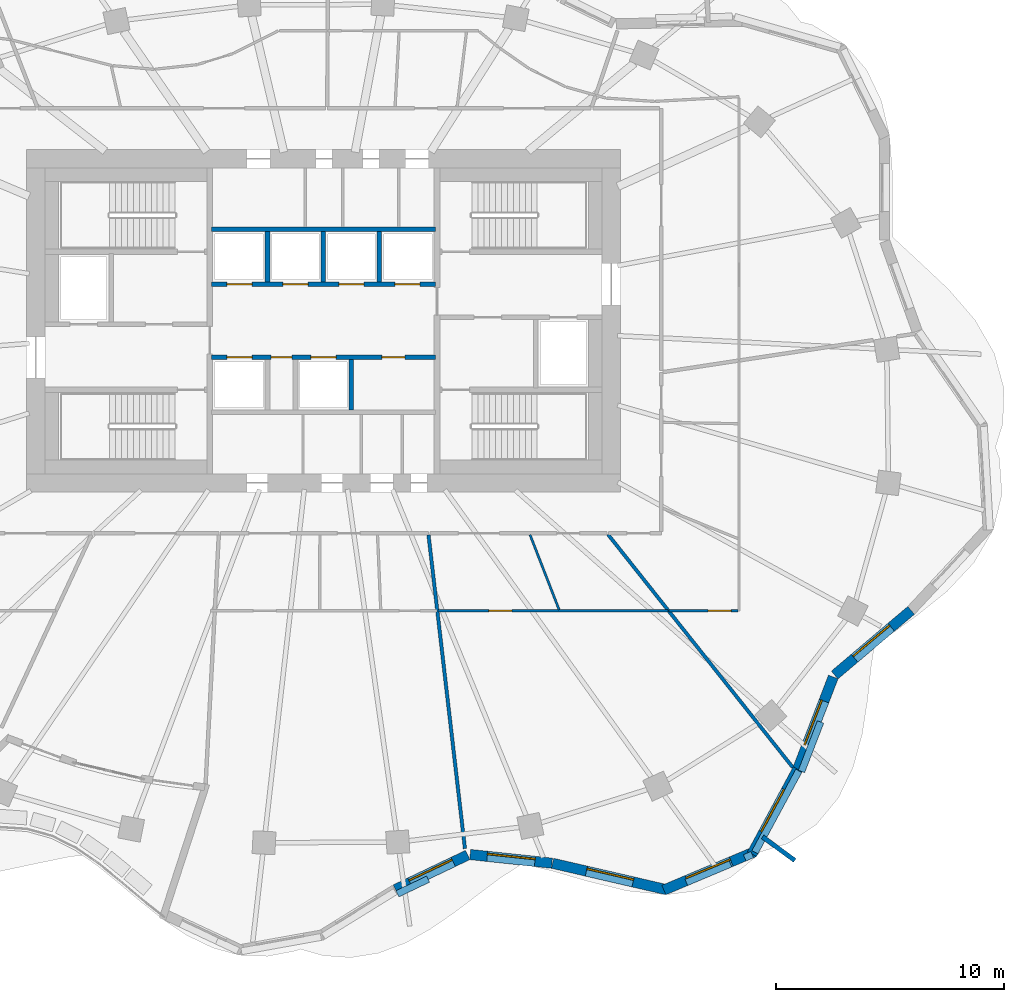
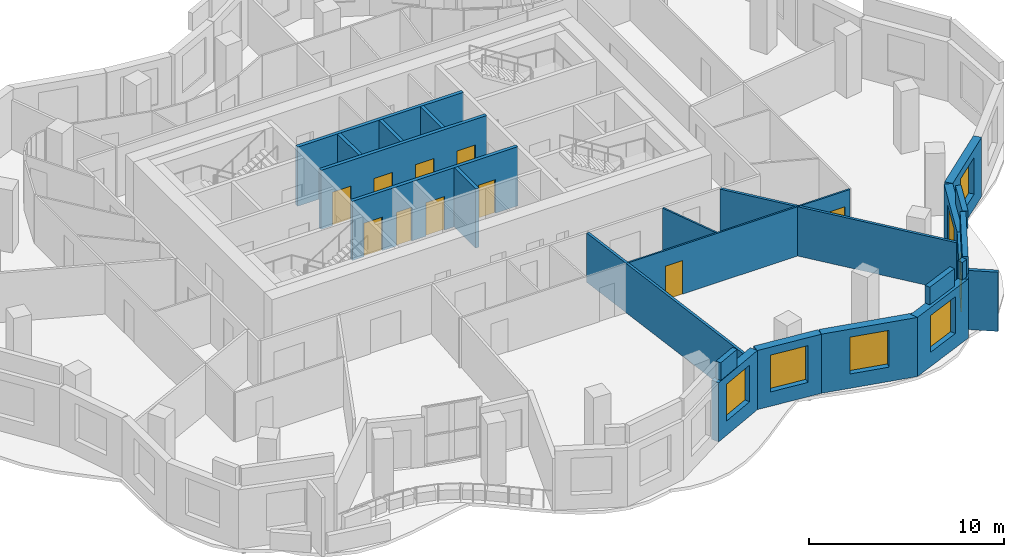
# One storey, part 7 of 13: 25 walls, 10 doors, 7 windows, 17 openings.
"""IFC4 building model written with IfcOpenShell, lengths in metres."""

from ifc_helpers import new_model, si_unit, direction, frame, frame_2d, origin, place, context, subcontext, project, spatial, rectangle, extrude, material, layer, layer_set, type_object, element, fill, save


model = new_model("IFC4")

# Units and contexts
model_context = context("Model", 3, precision=1e-05, world=origin(), true_north=direction((0.0, 1.0)))
body_context = subcontext(model_context, "Body", "Model", "MODEL_VIEW")
ifc_project = project(units=[si_unit("LENGTHUNIT", "METRE"), si_unit("AREAUNIT", "SQUARE_METRE"), si_unit("VOLUMEUNIT", "CUBIC_METRE"), si_unit("PLANEANGLEUNIT", "RADIAN"), si_unit("MASSUNIT", "GRAM", prefix="KILO")], contexts=[model_context])

# Site, building, storey
site_placement = place(None, origin())
site = spatial("IfcSite", under=ifc_project, at=site_placement, CompositionType="ELEMENT")
building_placement = place(site_placement, origin())
building = spatial("IfcBuilding", under=site, at=building_placement, Name="Rubra Terraces Tower", CompositionType="ELEMENT")
storey_placement = place(building_placement, frame((0.0, 0.0, 252.60009765625)))
storey = spatial("IfcBuildingStorey", under=building, at=storey_placement, Name="L62", CompositionType="ELEMENT", Elevation=252.60009765625)

# Wall, opening, window
ifc_material_1 = material(Name="Brick masonry red-brown", Category="masonry")
ifc_layer_1 = layer(ifc_material_1, 0.449951171875)
ifc_layer_set_1 = layer_set([ifc_layer_1], Name="Brick masonry red-brown")
wall_type_1 = type_object("IfcWallType", Name="Brick facade wall 450", PredefinedType="SOLIDWALL", material=ifc_layer_set_1)
wall_1_placement = place(storey_placement, frame((3.153564453125, -20.406005859375, 0.0), z_axis=(0.0, 0.0, 1.0), x_axis=(0.902333313, 0.431038968367, 0.0)))
wall_1 = element("IfcWall", 1, at=wall_1_placement, inside=storey, type_object=wall_type_1, Name="Facade wall L62 bay 32", PredefinedType="SOLIDWALL", context=body_context, shape_type="SweptSolid", body=[
    extrude(rectangle(XDim=3.50537109375, YDim=0.449951171875, at=frame_2d((1.752685546875, 0.0))), origin(), (0.0, 0.0, 1.0), 3.699951171875),
])
opening_1_placement = place(wall_1_placement, frame((0.702880859375, 0.0, 0.89990234375)))
opening_1 = element("IfcOpeningElement", 2, at=opening_1_placement, cuts=wall_1, Name="Opening W1B", PredefinedType="OPENING", context=body_context, shape_type="SweptSolid", body=[
    extrude(rectangle(XDim=2.10009765625, YDim=2.300048828125, at=frame_2d((1.050048828125, 1.14990234375))), frame((0.0, 0.23486328125, 0.0), z_axis=(0.0, -1.0, 0.0), x_axis=(1.0, 0.0, 0.0)), (0.0, 0.0, 1.0), 0.469970703125),
])
ifc_material_2 = material(Name="Clear glass in aluminium frame", Category="aluminium")
window_type = type_object("IfcWindowType", Name="Fixed deep-set window tall storey 2100 x 2300", PartitioningType="SINGLE_PANEL", PredefinedType="WINDOW", material=ifc_material_2)
window_1_placement = place(opening_1_placement, origin())
window_1 = element("IfcWindow", 3, at=window_1_placement, inside=storey, type_object=window_type, Name="Window L62 bay 32", OverallHeight=2.300048828125, OverallWidth=2.10009765625, PartitioningType="SINGLE_PANEL", PredefinedType="WINDOW", context=body_context, shape_type="SweptSolid", body=[
    extrude(rectangle(XDim=2.10009765625, YDim=2.300048828125, at=frame_2d((1.050048828125, 1.14990234375))), frame((0.0, 0.135009765625, 0.0), z_axis=(0.0, -1.0, 0.0), x_axis=(1.0, 0.0, 0.0)), (0.0, 0.0, 1.0), 0.06005859375),
])
fill(opening_1, window_1)

wall_2_placement = place(storey_placement, frame((6.4267578125, -18.875244140625, 0.0), z_axis=(0.0, 0.0, 1.0), x_axis=(0.994433468803, -0.10536638992, 0.0)))
wall_2 = element("IfcWall", 4, at=wall_2_placement, inside=storey, type_object=wall_type_1, Name="Facade wall L62 bay 33", PredefinedType="SOLIDWALL", context=body_context, shape_type="SweptSolid", body=[
    extrude(rectangle(XDim=3.598388671875, YDim=0.449951171875, at=frame_2d((1.79931640625, 0.0))), origin(), (0.0, 0.0, 1.0), 3.699951171875),
])
opening_2_placement = place(wall_2_placement, frame((0.749267578125, 0.0, 0.89990234375)))
opening_2 = element("IfcOpeningElement", 5, at=opening_2_placement, cuts=wall_2, Name="Opening W1B", PredefinedType="OPENING", context=body_context, shape_type="SweptSolid", body=[
    extrude(rectangle(XDim=2.10009765625, YDim=2.300048828125, at=frame_2d((1.050048828125, 1.14990234375))), frame((0.0, 0.23486328125, 0.0), z_axis=(0.0, -1.0, 0.0), x_axis=(1.0, 0.0, 0.0)), (0.0, 0.0, 1.0), 0.469970703125),
])
window_2_placement = place(opening_2_placement, origin())
window_2 = element("IfcWindow", 6, at=window_2_placement, inside=storey, type_object=window_type, Name="Window L62 bay 33", OverallHeight=2.300048828125, OverallWidth=2.10009765625, PartitioningType="SINGLE_PANEL", PredefinedType="WINDOW", context=body_context, shape_type="SweptSolid", body=[
    extrude(rectangle(XDim=2.10009765625, YDim=2.300048828125, at=frame_2d((1.050048828125, 1.14990234375))), frame((0.0, 0.135009765625, 0.0), z_axis=(0.0, -1.0, 0.0), x_axis=(1.0, 0.0, 0.0)), (0.0, 0.0, 1.0), 0.06005859375),
])
fill(opening_2, window_2)

wall_3_placement = place(storey_placement, frame((10.0341796875, -19.258544921875, 0.0), z_axis=(0.0, 0.0, 1.0), x_axis=(0.974223567844, -0.225584662283, 0.0)))
wall_3 = element("IfcWall", 7, at=wall_3_placement, inside=storey, type_object=wall_type_1, Name="Facade wall L62 bay 34", PredefinedType="SOLIDWALL", context=body_context, shape_type="SweptSolid", body=[
    extrude(rectangle(XDim=5.138671875, YDim=0.449951171875, at=frame_2d((2.5693359375, 0.0))), origin(), (0.0, 0.0, 1.0), 3.699951171875),
])
opening_3_placement = place(wall_3_placement, frame((1.51904296875, 0.0, 0.89990234375)))
opening_3 = element("IfcOpeningElement", 8, at=opening_3_placement, cuts=wall_3, Name="Opening W1B", PredefinedType="OPENING", context=body_context, shape_type="SweptSolid", body=[
    extrude(rectangle(XDim=2.10009765625, YDim=2.300048828125, at=frame_2d((1.050048828125, 1.14990234375))), frame((0.0, 0.23486328125, 0.0), z_axis=(0.0, -1.0, 0.0), x_axis=(1.0, 0.0, 0.0)), (0.0, 0.0, 1.0), 0.469970703125),
])
window_3_placement = place(opening_3_placement, origin())
window_3 = element("IfcWindow", 9, at=window_3_placement, inside=storey, type_object=window_type, Name="Window L62 bay 34", OverallHeight=2.300048828125, OverallWidth=2.10009765625, PartitioningType="SINGLE_PANEL", PredefinedType="WINDOW", context=body_context, shape_type="SweptSolid", body=[
    extrude(rectangle(XDim=2.10009765625, YDim=2.300048828125, at=frame_2d((1.050048828125, 1.14990234375))), frame((0.0, 0.135009765625, 0.0), z_axis=(0.0, -1.0, 0.0), x_axis=(1.0, 0.0, 0.0)), (0.0, 0.0, 1.0), 0.06005859375),
])
fill(opening_3, window_3)

wall_4_placement = place(storey_placement, frame((14.906494140625, -20.4306640625, 0.0), z_axis=(0.0, 0.0, 1.0), x_axis=(0.921435803521, 0.388530642279, 0.0)))
wall_4 = element("IfcWall", 10, at=wall_4_placement, inside=storey, type_object=wall_type_1, Name="Facade wall L62 bay 35", PredefinedType="SOLIDWALL", context=body_context, shape_type="SweptSolid", body=[
    extrude(rectangle(XDim=4.308837890625, YDim=0.449951171875, at=frame_2d((2.154296875, 0.0))), origin(), (0.0, 0.0, 1.0), 3.699951171875),
])
opening_4_placement = place(wall_4_placement, frame((1.104248046875, 0.0, 0.89990234375)))
opening_4 = element("IfcOpeningElement", 11, at=opening_4_placement, cuts=wall_4, Name="Opening W1B", PredefinedType="OPENING", context=body_context, shape_type="SweptSolid", body=[
    extrude(rectangle(XDim=2.10009765625, YDim=2.300048828125, at=frame_2d((1.050048828125, 1.14990234375))), frame((0.0, 0.23486328125, 0.0), z_axis=(0.0, -1.0, 0.0), x_axis=(1.0, 0.0, 0.0)), (0.0, 0.0, 1.0), 0.469970703125),
])
window_4_placement = place(opening_4_placement, origin())
window_4 = element("IfcWindow", 12, at=window_4_placement, inside=storey, type_object=window_type, Name="Window L62 bay 35", OverallHeight=2.300048828125, OverallWidth=2.10009765625, PartitioningType="SINGLE_PANEL", PredefinedType="WINDOW", context=body_context, shape_type="SweptSolid", body=[
    extrude(rectangle(XDim=2.10009765625, YDim=2.300048828125, at=frame_2d((1.050048828125, 1.14990234375))), frame((0.0, 0.135009765625, 0.0), z_axis=(0.0, -1.0, 0.0), x_axis=(1.0, 0.0, 0.0)), (0.0, 0.0, 1.0), 0.06005859375),
])
fill(opening_4, window_4)

wall_5_placement = place(storey_placement, frame((18.767333984375, -18.8544921875, 0.0), z_axis=(0.0, 0.0, 1.0), x_axis=(0.474475888716, 0.880268499395, 0.0)))
wall_5 = element("IfcWall", 13, at=wall_5_placement, inside=storey, type_object=wall_type_1, Name="Facade wall L62 bay 36", PredefinedType="SOLIDWALL", context=body_context, shape_type="SweptSolid", body=[
    extrude(rectangle(XDim=4.21923828125, YDim=0.449951171875, at=frame_2d((2.109619140625, 0.0))), origin(), (0.0, 0.0, 1.0), 3.699951171875),
])
opening_5_placement = place(wall_5_placement, frame((1.059814453125, 0.0, 0.89990234375)))
opening_5 = element("IfcOpeningElement", 14, at=opening_5_placement, cuts=wall_5, Name="Opening W1B", PredefinedType="OPENING", context=body_context, shape_type="SweptSolid", body=[
    extrude(rectangle(XDim=2.10009765625, YDim=2.300048828125, at=frame_2d((1.050048828125, 1.14990234375))), frame((0.0, 0.23486328125, 0.0), z_axis=(0.0, -1.0, 0.0), x_axis=(1.0, 0.0, 0.0)), (0.0, 0.0, 1.0), 0.469970703125),
])
window_5_placement = place(opening_5_placement, origin())
window_5 = element("IfcWindow", 15, at=window_5_placement, inside=storey, type_object=window_type, Name="Window L62 bay 36", OverallHeight=2.300048828125, OverallWidth=2.10009765625, PartitioningType="SINGLE_PANEL", PredefinedType="WINDOW", context=body_context, shape_type="SweptSolid", body=[
    extrude(rectangle(XDim=2.10009765625, YDim=2.300048828125, at=frame_2d((1.050048828125, 1.14990234375))), frame((0.0, 0.135009765625, 0.0), z_axis=(0.0, -1.0, 0.0), x_axis=(1.0, 0.0, 0.0)), (0.0, 0.0, 1.0), 0.06005859375),
])
fill(opening_5, window_5)

wall_6_placement = place(storey_placement, frame((20.757080078125, -15.166015625, 0.0), z_axis=(0.0, 0.0, 1.0), x_axis=(0.360067043581, 0.932926430179, 0.0)))
wall_6 = element("IfcWall", 16, at=wall_6_placement, inside=storey, type_object=wall_type_1, Name="Facade wall L62 bay 37", PredefinedType="SOLIDWALL", context=body_context, shape_type="SweptSolid", body=[
    extrude(rectangle(XDim=4.35986328125, YDim=0.449951171875, at=frame_2d((2.179931640625, 0.0))), origin(), (0.0, 0.0, 1.0), 3.699951171875),
])
opening_6_placement = place(wall_6_placement, frame((1.1298828125, 0.0, 0.89990234375)))
opening_6 = element("IfcOpeningElement", 17, at=opening_6_placement, cuts=wall_6, Name="Opening W1B", PredefinedType="OPENING", context=body_context, shape_type="SweptSolid", body=[
    extrude(rectangle(XDim=2.10009765625, YDim=2.300048828125, at=frame_2d((1.050048828125, 1.14990234375))), frame((0.0, 0.23486328125, 0.0), z_axis=(0.0, -1.0, 0.0), x_axis=(1.0, 0.0, 0.0)), (0.0, 0.0, 1.0), 0.469970703125),
])
window_6_placement = place(opening_6_placement, origin())
window_6 = element("IfcWindow", 18, at=window_6_placement, inside=storey, type_object=window_type, Name="Window L62 bay 37", OverallHeight=2.300048828125, OverallWidth=2.10009765625, PartitioningType="SINGLE_PANEL", PredefinedType="WINDOW", context=body_context, shape_type="SweptSolid", body=[
    extrude(rectangle(XDim=2.10009765625, YDim=2.300048828125, at=frame_2d((1.050048828125, 1.14990234375))), frame((0.0, 0.135009765625, 0.0), z_axis=(0.0, -1.0, 0.0), x_axis=(1.0, 0.0, 0.0)), (0.0, 0.0, 1.0), 0.06005859375),
])
fill(opening_6, window_6)

wall_7_placement = place(storey_placement, frame((22.385986328125, -11.014404296875, 0.0), z_axis=(0.0, 0.0, 1.0), x_axis=(0.763569952162, 0.645725118108, 0.0)))
wall_7 = element("IfcWall", 19, at=wall_7_placement, inside=storey, type_object=wall_type_1, Name="Facade wall L62 bay 38", PredefinedType="SOLIDWALL", context=body_context, shape_type="SweptSolid", body=[
    extrude(rectangle(XDim=4.3857421875, YDim=0.449951171875, at=frame_2d((2.19287109375, 0.0))), origin(), (0.0, 0.0, 1.0), 3.699951171875),
])
opening_7_placement = place(wall_7_placement, frame((1.14306640625, 0.0, 0.89990234375)))
opening_7 = element("IfcOpeningElement", 20, at=opening_7_placement, cuts=wall_7, Name="Opening W1B", PredefinedType="OPENING", context=body_context, shape_type="SweptSolid", body=[
    extrude(rectangle(XDim=2.10009765625, YDim=2.300048828125, at=frame_2d((1.050048828125, 1.14990234375))), frame((0.0, 0.23486328125, 0.0), z_axis=(0.0, -1.0, 0.0), x_axis=(1.0, 0.0, 0.0)), (0.0, 0.0, 1.0), 0.469970703125),
])
window_7_placement = place(opening_7_placement, origin())
window_7 = element("IfcWindow", 21, at=window_7_placement, inside=storey, type_object=window_type, Name="Window L62 bay 38", OverallHeight=2.300048828125, OverallWidth=2.10009765625, PartitioningType="SINGLE_PANEL", PredefinedType="WINDOW", context=body_context, shape_type="SweptSolid", body=[
    extrude(rectangle(XDim=2.10009765625, YDim=2.300048828125, at=frame_2d((1.050048828125, 1.14990234375))), frame((0.0, 0.135009765625, 0.0), z_axis=(0.0, -1.0, 0.0), x_axis=(1.0, 0.0, 0.0)), (0.0, 0.0, 1.0), 0.06005859375),
])
fill(opening_7, window_7)

# Walls
ifc_layer_2 = layer(ifc_material_1, 0.300048828125)
ifc_layer_set_2 = layer_set([ifc_layer_2], Name="Brick masonry red-brown")
wall_type_2 = type_object("IfcWallType", Name="Brick parapet 300", PredefinedType="PARAPET", material=ifc_layer_set_2)
wall_8_placement = place(storey_placement, frame((3.2392578125, -20.594482421875, 3.89990234375), z_axis=(0.0, 0.0, 1.0), x_axis=(0.902344893923, 0.431014724123, 0.0)))
element("IfcWall", 22, at=wall_8_placement, inside=storey, type_object=wall_type_2, Name="Parapet L62 bay 32", PredefinedType="PARAPET", context=body_context, shape_type="SweptSolid", body=[
    extrude(rectangle(XDim=1.48974609375, YDim=0.300048828125, at=frame_2d((0.744873046875, 0.0))), origin(), (0.0, 0.0, 1.0), 1.10009765625),
])
wall_9_placement = place(storey_placement, frame((15.890869140625, -20.096923828125, 3.89990234375), z_axis=(0.0, 0.0, 1.0), x_axis=(0.921468908678, 0.388452121038, 0.0)))
element("IfcWall", 23, at=wall_9_placement, inside=storey, type_object=wall_type_2, Name="Parapet L62 bay 35", PredefinedType="PARAPET", context=body_context, shape_type="SweptSolid", body=[
    extrude(rectangle(XDim=2.09912109375, YDim=0.300048828125, at=frame_2d((1.049560546875, 0.0))), origin(), (0.0, 0.0, 1.0), 1.10009765625),
])
wall_10_placement = place(storey_placement, frame((18.4462890625, -19.01953125, 3.89990234375), z_axis=(0.0, 0.0, 1.0), x_axis=(0.921356634102, 0.388718346358, 0.0)))
element("IfcWall", 24, at=wall_10_placement, inside=storey, type_object=wall_type_2, Name="Parapet L62 bay 35.2", PredefinedType="PARAPET", context=body_context, shape_type="SweptSolid", body=[
    extrude(rectangle(XDim=0.363037109375, YDim=0.300048828125, at=frame_2d((0.181640625, 0.0))), origin(), (0.0, 0.0, 1.0), 1.10009765625),
])
wall_11_placement = place(storey_placement, frame((18.896484375, -18.7734375, 3.89990234375), z_axis=(0.0, 0.0, 1.0), x_axis=(0.474444905835, 0.880285198857, 0.0)))
element("IfcWall", 25, at=wall_11_placement, inside=storey, type_object=wall_type_2, Name="Parapet L62 bay 36", PredefinedType="PARAPET", context=body_context, shape_type="SweptSolid", body=[
    extrude(rectangle(XDim=4.0498046875, YDim=0.300048828125, at=frame_2d((2.02490234375, 0.0))), origin(), (0.0, 0.0, 1.0), 1.10009765625),
])
wall_12_placement = place(storey_placement, frame((20.932861328125, -15.236572265625, 3.89990234375), z_axis=(0.0, 0.0, 1.0), x_axis=(0.360021038217, 0.932944184848, 0.0)))
element("IfcWall", 26, at=wall_12_placement, inside=storey, type_object=wall_type_2, Name="Parapet L62 bay 37", PredefinedType="PARAPET", context=body_context, shape_type="SweptSolid", body=[
    extrude(rectangle(XDim=2.3232421875, YDim=0.300048828125, at=frame_2d((1.16162109375, 0.0))), origin(), (0.0, 0.0, 1.0), 1.10009765625),
])
ifc_layer_3 = layer(ifc_material_1, 0.199951171875)
ifc_layer_set_3 = layer_set([ifc_layer_3], Name="Brick masonry red-brown")
wall_type_3 = type_object("IfcWallType", Name="Brick wind fin 200", PredefinedType="SOLIDWALL", material=ifc_layer_set_3)
wall_13_placement = place(storey_placement, frame((19.23095703125, -18.09912109375, 0.0), z_axis=(0.0, 0.0, 1.0), x_axis=(0.806085538754, -0.591799040394, 0.0)))
element("IfcWall", 27, at=wall_13_placement, inside=storey, type_object=wall_type_3, Name="Wind fin L62 19", PredefinedType="SOLIDWALL", context=body_context, shape_type="SweptSolid", body=[
    extrude(rectangle(XDim=1.75, YDim=0.199951171875, at=frame_2d((0.875, 0.0))), origin(), (0.0, 0.0, 1.0), 3.699951171875),
])

# Wall, openings, doors
ifc_material_3 = material(Name="Concrete C30", Category="concrete")
ifc_layer_4 = layer(ifc_material_3, 0.199951171875)
ifc_layer_set_4 = layer_set([ifc_layer_4], Name="Concrete C30")
wall_type_4 = type_object("IfcWallType", Name="Core wall 200 concrete", PredefinedType="SOLIDWALL", material=ifc_layer_set_4)
wall_14_placement = place(storey_placement, frame((-4.89990234375, 2.89990234375, 0.0), z_axis=(0.0, 0.0, 1.0), x_axis=(1.0, 0.0, 0.0)))
wall_14 = element("IfcWall", 28, at=wall_14_placement, inside=storey, type_object=wall_type_4, Name="LIFT SHAFT WALL L62", PredefinedType="SOLIDWALL", context=body_context, shape_type="SweptSolid", body=[
    extrude(rectangle(XDim=9.7998046875, YDim=0.199951171875, at=frame_2d((4.89990234375, 0.0))), origin(), (0.0, 0.0, 1.0), 3.699951171875),
])
opening_8_placement = place(wall_14_placement, frame((0.675048828125, 0.0, 0.0)))
opening_8 = element("IfcOpeningElement", 29, at=opening_8_placement, cuts=wall_14, Name="Opening L62.C13", PredefinedType="OPENING", context=body_context, shape_type="SweptSolid", body=[
    extrude(rectangle(XDim=1.10009765625, YDim=2.10009765625, at=frame_2d((0.550048828125, 1.050048828125))), frame((0.0, 0.10986328125, 0.0), z_axis=(0.0, -1.0, 0.0), x_axis=(1.0, 0.0, 0.0)), (0.0, 0.0, 1.0), 0.219970703125),
])
opening_9_placement = place(wall_14_placement, frame((2.613037109375, 0.0, 0.0)))
opening_9 = element("IfcOpeningElement", 30, at=opening_9_placement, cuts=wall_14, Name="Opening L62.C14", PredefinedType="OPENING", context=body_context, shape_type="SweptSolid", body=[
    extrude(rectangle(XDim=0.89990234375, YDim=2.10009765625, at=frame_2d((0.449951171875, 1.050048828125))), frame((0.0, 0.10986328125, 0.0), z_axis=(0.0, -1.0, 0.0), x_axis=(1.0, 0.0, 0.0)), (0.0, 0.0, 1.0), 0.219970703125),
])
opening_10_placement = place(wall_14_placement, frame((4.35009765625, 0.0, 0.0)))
opening_10 = element("IfcOpeningElement", 31, at=opening_10_placement, cuts=wall_14, Name="Opening L62.C15", PredefinedType="OPENING", context=body_context, shape_type="SweptSolid", body=[
    extrude(rectangle(XDim=1.10009765625, YDim=2.10009765625, at=frame_2d((0.550048828125, 1.050048828125))), frame((0.0, 0.10986328125, 0.0), z_axis=(0.0, -1.0, 0.0), x_axis=(1.0, 0.0, 0.0)), (0.0, 0.0, 1.0), 0.219970703125),
])
opening_11_placement = place(wall_14_placement, frame((7.462890625, 0.0, 0.0)))
opening_11 = element("IfcOpeningElement", 32, at=opening_11_placement, cuts=wall_14, Name="Opening L62.C16", PredefinedType="OPENING", context=body_context, shape_type="SweptSolid", body=[
    extrude(rectangle(XDim=1.0, YDim=2.10009765625, at=frame_2d((0.5, 1.050048828125))), frame((0.0, 0.10986328125, 0.0), z_axis=(0.0, -1.0, 0.0), x_axis=(1.0, 0.0, 0.0)), (0.0, 0.0, 1.0), 0.219970703125),
])
ifc_material_4 = material(Name="Painted steel", Category="steel")
door_type_1 = type_object("IfcDoorType", Name="Fire door 1000x2100 single", OperationType="NOTDEFINED", PredefinedType="DOOR", material=ifc_material_4)
door_1_placement = place(opening_11_placement, origin())
door_1 = element("IfcDoor", 33, at=door_1_placement, inside=storey, type_object=door_type_1, Name="Guest pantry door", OperationType="SINGLE_SWING_RIGHT", OverallHeight=2.10009765625, OverallWidth=1.0, PredefinedType="DOOR", context=body_context, shape_type="SweptSolid", body=[
    extrude(rectangle(XDim=1.0, YDim=2.10009765625, at=frame_2d((0.5, 1.050048828125))), frame((0.0, 0.02490234375, 0.0), z_axis=(0.0, -1.0, 0.0), x_axis=(1.0, 0.0, 0.0)), (0.0, 0.0, 1.0), 0.050048828125),
])
fill(opening_11, door_1)
door_type_2 = type_object("IfcDoorType", Name="Fire door 900x2100 single", OperationType="NOTDEFINED", PredefinedType="DOOR", material=ifc_material_4)
door_2_placement = place(opening_9_placement, origin())
door_2 = element("IfcDoor", 34, at=door_2_placement, inside=storey, type_object=door_type_2, Name="Cleaner's store door", OperationType="SINGLE_SWING_RIGHT", OverallHeight=2.10009765625, OverallWidth=0.89990234375, PredefinedType="DOOR", context=body_context, shape_type="SweptSolid", body=[
    extrude(rectangle(XDim=0.89990234375, YDim=2.10009765625, at=frame_2d((0.449951171875, 1.050048828125))), frame((0.0, 0.02490234375, 0.0), z_axis=(0.0, -1.0, 0.0), x_axis=(1.0, 0.0, 0.0)), (0.0, 0.0, 1.0), 0.050048828125),
])
fill(opening_9, door_2)
ifc_material_5 = material(Name="Stainless steel", Category="steel")
door_type_3 = type_object("IfcDoorType", Name="Lift landing door 1100x2100", OperationType="NOTDEFINED", PredefinedType="DOOR", material=ifc_material_5)
door_3_placement = place(opening_8_placement, origin())
door_3 = element("IfcDoor", 35, at=door_3_placement, inside=storey, type_object=door_type_3, Name="Landing door HB1", OperationType="SLIDING_TO_RIGHT", OverallHeight=2.10009765625, OverallWidth=1.10009765625, PredefinedType="DOOR", context=body_context, shape_type="SweptSolid", body=[
    extrude(rectangle(XDim=1.10009765625, YDim=2.10009765625, at=frame_2d((0.550048828125, 1.050048828125))), frame((0.0, 0.02490234375, 0.0), z_axis=(0.0, -1.0, 0.0), x_axis=(1.0, 0.0, 0.0)), (0.0, 0.0, 1.0), 0.050048828125),
])
fill(opening_8, door_3)
door_4_placement = place(opening_10_placement, origin())
door_4 = element("IfcDoor", 36, at=door_4_placement, inside=storey, type_object=door_type_3, Name="Landing door HB2", OperationType="SLIDING_TO_LEFT", OverallHeight=2.10009765625, OverallWidth=1.10009765625, PredefinedType="DOOR", context=body_context, shape_type="SweptSolid", body=[
    extrude(rectangle(XDim=1.10009765625, YDim=2.10009765625, at=frame_2d((0.550048828125, 1.050048828125))), frame((0.0, 0.02490234375, 0.0), z_axis=(0.0, -1.0, 0.0), x_axis=(1.0, 0.0, 0.0)), (0.0, 0.0, 1.0), 0.050048828125),
])
fill(opening_10, door_4)

wall_15_placement = place(storey_placement, frame((-4.89990234375, 6.10009765625, 0.0), z_axis=(0.0, 0.0, 1.0), x_axis=(1.0, 0.0, 0.0)))
wall_15 = element("IfcWall", 37, at=wall_15_placement, inside=storey, type_object=wall_type_4, Name="LIFT SHAFT WALL L62", PredefinedType="SOLIDWALL", context=body_context, shape_type="SweptSolid", body=[
    extrude(rectangle(XDim=9.7998046875, YDim=0.199951171875, at=frame_2d((4.89990234375, 0.0))), origin(), (0.0, 0.0, 1.0), 3.699951171875),
])
opening_12_placement = place(wall_15_placement, frame((0.675048828125, 0.0, 0.0)))
opening_12 = element("IfcOpeningElement", 38, at=opening_12_placement, cuts=wall_15, Name="Opening L62.C17", PredefinedType="OPENING", context=body_context, shape_type="SweptSolid", body=[
    extrude(rectangle(XDim=1.10009765625, YDim=2.10009765625, at=frame_2d((0.550048828125, 1.050048828125))), frame((0.0, 0.10986328125, 0.0), z_axis=(0.0, -1.0, 0.0), x_axis=(1.0, 0.0, 0.0)), (0.0, 0.0, 1.0), 0.219970703125),
])
opening_13_placement = place(wall_15_placement, frame((3.125, 0.0, 0.0)))
opening_13 = element("IfcOpeningElement", 39, at=opening_13_placement, cuts=wall_15, Name="Opening L62.C18", PredefinedType="OPENING", context=body_context, shape_type="SweptSolid", body=[
    extrude(rectangle(XDim=1.10009765625, YDim=2.10009765625, at=frame_2d((0.550048828125, 1.050048828125))), frame((0.0, 0.10986328125, 0.0), z_axis=(0.0, -1.0, 0.0), x_axis=(1.0, 0.0, 0.0)), (0.0, 0.0, 1.0), 0.219970703125),
])
opening_14_placement = place(wall_15_placement, frame((5.574951171875, 0.0, 0.0)))
opening_14 = element("IfcOpeningElement", 40, at=opening_14_placement, cuts=wall_15, Name="Opening L62.C19", PredefinedType="OPENING", context=body_context, shape_type="SweptSolid", body=[
    extrude(rectangle(XDim=1.10009765625, YDim=2.10009765625, at=frame_2d((0.550048828125, 1.050048828125))), frame((0.0, 0.10986328125, 0.0), z_axis=(0.0, -1.0, 0.0), x_axis=(1.0, 0.0, 0.0)), (0.0, 0.0, 1.0), 0.219970703125),
])
opening_15_placement = place(wall_15_placement, frame((8.02490234375, 0.0, 0.0)))
opening_15 = element("IfcOpeningElement", 41, at=opening_15_placement, cuts=wall_15, Name="Opening L62.C20", PredefinedType="OPENING", context=body_context, shape_type="SweptSolid", body=[
    extrude(rectangle(XDim=1.10009765625, YDim=2.10009765625, at=frame_2d((0.550048828125, 1.050048828125))), frame((0.0, 0.10986328125, 0.0), z_axis=(0.0, -1.0, 0.0), x_axis=(1.0, 0.0, 0.0)), (0.0, 0.0, 1.0), 0.219970703125),
])
door_5_placement = place(opening_12_placement, origin())
door_5 = element("IfcDoor", 42, at=door_5_placement, inside=storey, type_object=door_type_3, Name="Landing door HB3", OperationType="SLIDING_TO_RIGHT", OverallHeight=2.10009765625, OverallWidth=1.10009765625, PredefinedType="DOOR", context=body_context, shape_type="SweptSolid", body=[
    extrude(rectangle(XDim=1.10009765625, YDim=2.10009765625, at=frame_2d((0.550048828125, 1.050048828125))), frame((0.0, 0.02490234375, 0.0), z_axis=(0.0, -1.0, 0.0), x_axis=(1.0, 0.0, 0.0)), (0.0, 0.0, 1.0), 0.050048828125),
])
fill(opening_12, door_5)
door_6_placement = place(opening_13_placement, origin())
door_6 = element("IfcDoor", 43, at=door_6_placement, inside=storey, type_object=door_type_3, Name="Landing door HB4", OperationType="SLIDING_TO_LEFT", OverallHeight=2.10009765625, OverallWidth=1.10009765625, PredefinedType="DOOR", context=body_context, shape_type="SweptSolid", body=[
    extrude(rectangle(XDim=1.10009765625, YDim=2.10009765625, at=frame_2d((0.550048828125, 1.050048828125))), frame((0.0, 0.02490234375, 0.0), z_axis=(0.0, -1.0, 0.0), x_axis=(1.0, 0.0, 0.0)), (0.0, 0.0, 1.0), 0.050048828125),
])
fill(opening_13, door_6)
door_7_placement = place(opening_14_placement, origin())
door_7 = element("IfcDoor", 44, at=door_7_placement, inside=storey, type_object=door_type_3, Name="Landing door HB5", OperationType="SLIDING_TO_RIGHT", OverallHeight=2.10009765625, OverallWidth=1.10009765625, PredefinedType="DOOR", context=body_context, shape_type="SweptSolid", body=[
    extrude(rectangle(XDim=1.10009765625, YDim=2.10009765625, at=frame_2d((0.550048828125, 1.050048828125))), frame((0.0, 0.02490234375, 0.0), z_axis=(0.0, -1.0, 0.0), x_axis=(1.0, 0.0, 0.0)), (0.0, 0.0, 1.0), 0.050048828125),
])
fill(opening_14, door_7)
door_8_placement = place(opening_15_placement, origin())
door_8 = element("IfcDoor", 45, at=door_8_placement, inside=storey, type_object=door_type_3, Name="Landing door HB6", OperationType="SLIDING_TO_LEFT", OverallHeight=2.10009765625, OverallWidth=1.10009765625, PredefinedType="DOOR", context=body_context, shape_type="SweptSolid", body=[
    extrude(rectangle(XDim=1.10009765625, YDim=2.10009765625, at=frame_2d((0.550048828125, 1.050048828125))), frame((0.0, 0.02490234375, 0.0), z_axis=(0.0, -1.0, 0.0), x_axis=(1.0, 0.0, 0.0)), (0.0, 0.0, 1.0), 0.050048828125),
])
fill(opening_15, door_8)

# Walls
wall_16_placement = place(storey_placement, frame((-4.89990234375, 8.5, 0.0), z_axis=(0.0, 0.0, 1.0), x_axis=(1.0, 0.0, 0.0)))
element("IfcWall", 46, at=wall_16_placement, inside=storey, type_object=wall_type_4, Name="LIFT SHAFT WALL L62", PredefinedType="SOLIDWALL", context=body_context, shape_type="SweptSolid", body=[
    extrude(rectangle(XDim=9.7998046875, YDim=0.199951171875, at=frame_2d((4.89990234375, 0.0))), origin(), (0.0, 0.0, 1.0), 3.699951171875),
])
for number, where, z_axis, x_axis, name in (
    (47, (1.22509765625, 0.60009765625, 0.0), (0.0, 0.0, 1.0), (0.0, 1.0, 0.0), "LIFT SHAFT WALL L62"),
    (48, (-2.449951171875, 6.199951171875, 0.0), (0.0, 0.0, 1.0), (0.0, 1.0, 0.0), "LIFT SHAFT WALL L62"),
    (49, (0.0, 6.199951171875, 0.0), (0.0, 0.0, 1.0), (0.0, 1.0, 0.0), "LIFT SHAFT WALL L62"),
    (50, (2.449951171875, 6.199951171875, 0.0), (0.0, 0.0, 1.0), (0.0, 1.0, 0.0), "LIFT SHAFT WALL L62"),
):
    element("IfcWall", number, at=place(storey_placement, frame(where, z_axis=z_axis, x_axis=x_axis)), inside=storey, type_object=wall_type_4, Name=name, PredefinedType="SOLIDWALL", context=body_context, shape_type="SweptSolid", body=[
        extrude(rectangle(XDim=2.199951171875, YDim=0.199951171875, at=frame_2d((1.10009765625, 0.0))), origin(), (0.0, 0.0, 1.0), 3.699951171875),
    ])

# Wall, opening, door
ifc_material_6 = material(Name="Plasterboard on steel stud", Category="steel")
ifc_layer_5 = layer(ifc_material_6, 0.10009765625)
ifc_layer_set_5 = layer_set([ifc_layer_5], Name="Plasterboard on steel stud")
wall_type_5 = type_object("IfcWallType", Name="ROOM PARTITION 100", PredefinedType="PARTITIONING", material=ifc_layer_set_5)
wall_17_placement = place(storey_placement, frame((15.08740234375, -8.199951171875, 0.0), z_axis=(0.0, 0.0, 1.0), x_axis=(-1.0, 0.0, 0.0)))
wall_17 = element("IfcWall", 51, at=wall_17_placement, inside=storey, type_object=wall_type_5, Name="PARTITION", PredefinedType="PARTITIONING", context=body_context, shape_type="SweptSolid", body=[
    extrude(rectangle(XDim=10.080810546875, YDim=0.10009765625, at=frame_2d((5.04052734375, 0.0))), origin(), (0.0, 0.0, 1.0), 3.083984375),
])
opening_16_placement = place(wall_17_placement, frame((6.841064453125, 0.0, 0.0)))
opening_16 = element("IfcOpeningElement", 52, at=opening_16_placement, cuts=wall_17, Name="Opening 62-124", PredefinedType="OPENING", context=body_context, shape_type="SweptSolid", body=[
    extrude(rectangle(XDim=1.0, YDim=2.10009765625, at=frame_2d((0.5, 1.050048828125))), frame((0.0, 0.06005859375, 0.0), z_axis=(0.0, -1.0, 0.0), x_axis=(1.0, 0.0, 0.0)), (0.0, 0.0, 1.0), 0.1201171875),
])
ifc_material_7 = material(Name="Painted timber door leaf", Category="wood")
door_type_4 = type_object("IfcDoorType", Name="ROOM DOOR 1000 X 2100", OperationType="SINGLE_SWING_LEFT", PredefinedType="DOOR", material=ifc_material_7)
door_9_placement = place(opening_16_placement, origin())
door_9 = element("IfcDoor", 53, at=door_9_placement, inside=storey, type_object=door_type_4, Name="DOOR 62-124", OperationType="SINGLE_SWING_LEFT", OverallHeight=2.10009765625, OverallWidth=1.0, PredefinedType="DOOR", context=body_context, shape_type="SweptSolid", body=[
    extrude(rectangle(XDim=1.0, YDim=2.10009765625, at=frame_2d((0.5, 1.050048828125))), frame((0.0, 0.02490234375, 0.0), z_axis=(0.0, -1.0, 0.0), x_axis=(1.0, 0.0, 0.0)), (0.0, 0.0, 1.0), 0.050048828125),
])
fill(opening_16, door_9)

# Wall
wall_18_placement = place(storey_placement, frame((9.0458984375, -4.869873046875, 0.0), z_axis=(0.0, 0.0, 1.0), x_axis=(0.361773794961, -0.93226590696, 0.0)))
element("IfcWall", 54, at=wall_18_placement, inside=storey, type_object=wall_type_5, Name="PARTITION", PredefinedType="PARTITIONING", context=body_context, shape_type="SweptSolid", body=[
    extrude(rectangle(XDim=3.52197265625, YDim=0.10009765625, at=frame_2d((1.760986328125, 0.0))), origin(), (0.0, 0.0, 1.0), 3.083984375),
])

# Wall, opening, door
wall_19_placement = place(storey_placement, frame((18.14990234375, -8.199951171875, 0.0), z_axis=(0.0, 0.0, 1.0), x_axis=(-1.0, 0.0, 0.0)))
wall_19 = element("IfcWall", 55, at=wall_19_placement, inside=storey, type_object=wall_type_5, Name="PARTITION", PredefinedType="PARTITIONING", context=body_context, shape_type="SweptSolid", body=[
    extrude(rectangle(XDim=3.011474609375, YDim=0.10009765625, at=frame_2d((1.505859375, 0.0))), origin(), (0.0, 0.0, 1.0), 3.083984375),
])
opening_17_placement = place(wall_19_placement, frame((0.300048828125, 0.0, 0.0)))
opening_17 = element("IfcOpeningElement", 56, at=opening_17_placement, cuts=wall_19, Name="Opening 62-127", PredefinedType="OPENING", context=body_context, shape_type="SweptSolid", body=[
    extrude(rectangle(XDim=1.0, YDim=2.10009765625, at=frame_2d((0.5, 1.050048828125))), frame((0.0, 0.06005859375, 0.0), z_axis=(0.0, -1.0, 0.0), x_axis=(1.0, 0.0, 0.0)), (0.0, 0.0, 1.0), 0.1201171875),
])
door_10_placement = place(opening_17_placement, origin())
door_10 = element("IfcDoor", 57, at=door_10_placement, inside=storey, type_object=door_type_4, Name="DOOR 62-127", OperationType="SINGLE_SWING_RIGHT", OverallHeight=2.10009765625, OverallWidth=1.0, PredefinedType="DOOR", context=body_context, shape_type="SweptSolid", body=[
    extrude(rectangle(XDim=1.0, YDim=2.10009765625, at=frame_2d((0.5, 1.050048828125))), frame((0.0, 0.02490234375, 0.0), z_axis=(0.0, -1.0, 0.0), x_axis=(1.0, 0.0, 0.0)), (0.0, 0.0, 1.0), 0.050048828125),
])
fill(opening_17, door_10)

# Walls
ifc_layer_6 = layer(ifc_material_6, 0.14990234375)
ifc_layer_set_6 = layer_set([ifc_layer_6], Name="Plasterboard on steel stud")
wall_type_6 = type_object("IfcWallType", Name="ROOM PARTITION 150", PredefinedType="PARTITIONING", material=ifc_layer_set_6)
wall_20_placement = place(storey_placement, frame((6.196533203125, -18.616455078125, 0.0), z_axis=(0.0, 0.0, 1.0), x_axis=(-0.115396385648, 0.993319522701, 0.0)))
element("IfcWall", 58, at=wall_20_placement, inside=storey, type_object=wall_type_6, Name="PARTITION", PredefinedType="PARTITIONING", context=body_context, shape_type="SweptSolid", body=[
    extrude(rectangle(XDim=13.83447265625, YDim=0.14990234375, at=frame_2d((6.917236328125, 0.0))), origin(), (0.0, 0.0, 1.0), 3.083984375),
])
wall_21_placement = place(storey_placement, frame((20.552734375, -15.059326171875, 0.0), z_axis=(0.0, 0.0, 1.0), x_axis=(-0.621387168857, 0.783503660732, 0.0)))
element("IfcWall", 59, at=wall_21_placement, inside=storey, type_object=wall_type_6, Name="PARTITION", PredefinedType="PARTITIONING", context=body_context, shape_type="SweptSolid", body=[
    extrude(rectangle(XDim=13.01904296875, YDim=0.14990234375, at=frame_2d((6.509521484375, 0.0))), origin(), (0.0, 0.0, 1.0), 3.083984375),
])

save(model, "model.ifc")
